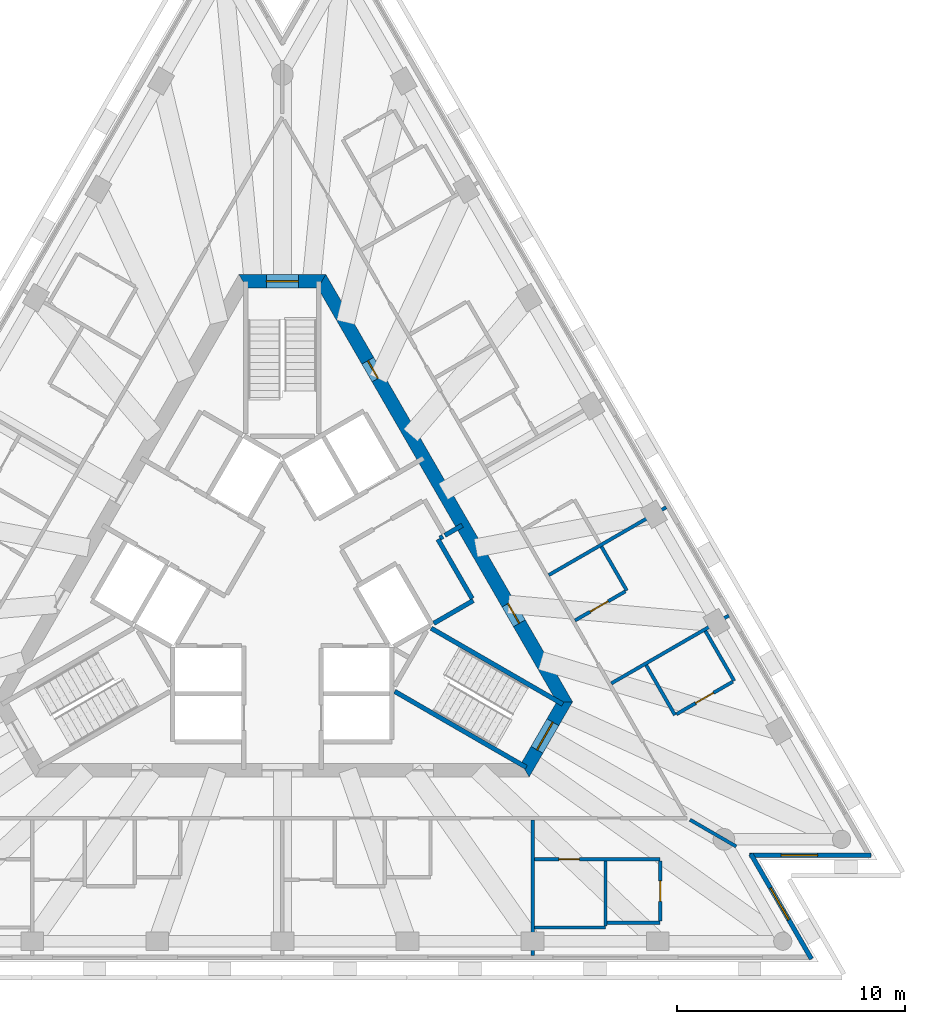
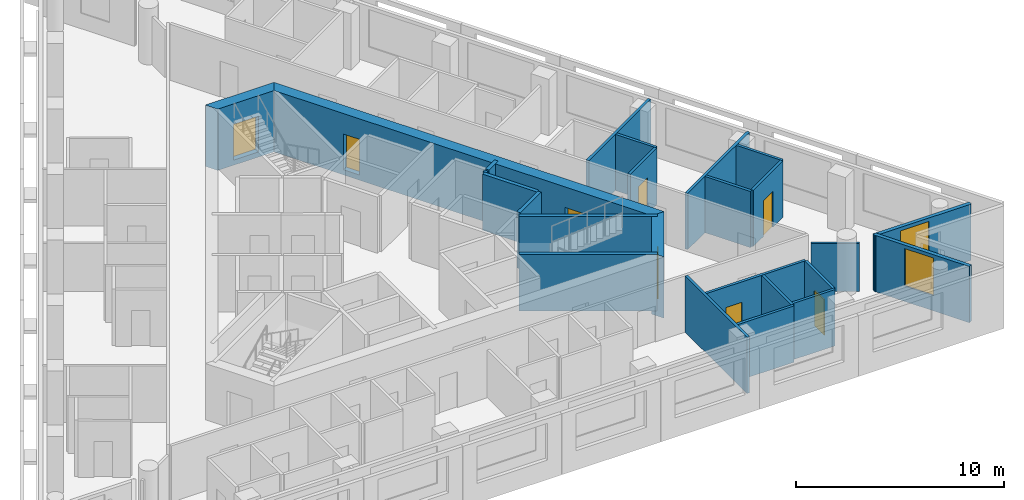
# One storey, part 6 of 9: 25 walls, 8 doors, 2 windows, 10 openings.
"""IFC4 building model written with IfcOpenShell, lengths in metres."""

from ifc_helpers import new_model, si_unit, direction, frame, frame_2d, origin, place, context, subcontext, project, spatial, polyline, rectangle, outline, extrude, material, layer, layer_set, layer_usage, type_object, element, fill, save


model = new_model("IFC4")

# Units and contexts
model_context = context("Model", 3, precision=1e-05, world=origin(), true_north=direction((0.0, 1.0)))
body_context = subcontext(model_context, "Body", "Model", "MODEL_VIEW")
ifc_project = project(units=[si_unit("LENGTHUNIT", "METRE"), si_unit("AREAUNIT", "SQUARE_METRE"), si_unit("VOLUMEUNIT", "CUBIC_METRE"), si_unit("PLANEANGLEUNIT", "RADIAN"), si_unit("MASSUNIT", "GRAM", prefix="KILO")], contexts=[model_context])

# Site, building, storey
site_placement = place(None, origin())
site = spatial("IfcSite", under=ifc_project, at=site_placement, CompositionType="ELEMENT")
building_placement = place(site_placement, origin())
building = spatial("IfcBuilding", under=site, at=building_placement, Name="Triada Interchange Tower", CompositionType="ELEMENT")
storey_placement = place(building_placement, frame((0.0, 0.0, 282.699951171875)))
storey = spatial("IfcBuildingStorey", under=building, at=storey_placement, Name="L66", CompositionType="ELEMENT", Elevation=282.699951171875)

# Walls
ifc_material_1 = material(Name="Concrete C30/37", Category="concrete")
ifc_layer_1 = layer(ifc_material_1, 0.199951171875)
ifc_layer_set_1 = layer_set([ifc_layer_1], Name="CORE WALL 200 EI 120")
wall_type_1 = type_object("IfcWallType", Name="CORE WALL 200 EI 120", PredefinedType="SOLIDWALL", material=ifc_layer_set_1)
wall_1_placement = place(storey_placement, frame((7.12890625, 2.153076171875, 0.0), z_axis=(0.0, 0.0, 1.0), x_axis=(0.866083962871, 0.499898558967, 0.0)))
element("IfcWall", 1, at=wall_1_placement, inside=storey, type_object=wall_type_1, Name="Wall L65 87", PredefinedType="SOLIDWALL", context=body_context, shape_type="SweptSolid", body=[
    extrude(rectangle(XDim=0.880126953125, YDim=0.199951171875, at=frame_2d((0.43994140625, 0.0))), origin(), (0.0, 0.0, 1.0), 3.300048828125),
])
ifc_layer_2 = layer(ifc_material_1, 0.199951171875)
ifc_layer_set_2 = layer_set([ifc_layer_2], Name="CORE WALL 200 EI 90")
wall_type_2 = type_object("IfcWallType", Name="CORE WALL 200 EI 90", PredefinedType="SOLIDWALL", material=ifc_layer_set_2)
wall_2_placement = place(storey_placement, frame((6.64208984375, -1.7080078125, 0.0), z_axis=(0.0, 0.0, 1.0), x_axis=(0.866043441391, 0.499968756647, 0.0)))
element("IfcWall", 2, at=wall_2_placement, inside=storey, type_object=wall_type_2, Name="Wall L65 112", PredefinedType="SOLIDWALL", context=body_context, shape_type="SweptSolid", body=[
    extrude(rectangle(XDim=2.002197265625, YDim=0.199951171875, at=frame_2d((1.0009765625, 0.0))), origin(), (0.0, 0.0, 1.0), 3.300048828125),
])
wall_3_placement = place(storey_placement, frame((6.825927734375, 1.97802734375, 0.0), z_axis=(0.0, 0.0, 1.0), x_axis=(0.499990139034, -0.866031096941, 0.0)))
element("IfcWall", 3, at=wall_3_placement, inside=storey, type_object=wall_type_2, Name="Wall L65 113", PredefinedType="SOLIDWALL", context=body_context, shape_type="SweptSolid", body=[
    extrude(rectangle(XDim=3.0, YDim=0.199951171875, at=frame_2d((1.5, 0.0))), origin(), (0.0, 0.0, 1.0), 3.300048828125),
])
wall_4_placement = place(storey_placement, frame((6.912109375, 2.028076171875, 0.0), z_axis=(0.0, 0.0, 1.0), x_axis=(0.866559367082, 0.499074005857, 0.0)))
element("IfcWall", 4, at=wall_4_placement, inside=storey, type_object=wall_type_2, Name="Wall L65 114", PredefinedType="SOLIDWALL", context=body_context, shape_type="SweptSolid", body=[
    extrude(rectangle(XDim=0.152099609375, YDim=0.199951171875, at=frame_2d((0.076171875, 0.0))), origin(), (0.0, 0.0, 1.0), 3.300048828125),
])
ifc_layer_3 = layer(ifc_material_1, 0.199951171875)
ifc_layer_set_3 = layer_set([ifc_layer_3], Name="CORE WALL 200 REI 240")
wall_type_3 = type_object("IfcWallType", Name="CORE WALL 200 REI 240", PredefinedType="SOLIDWALL", material=ifc_layer_set_3)
wall_5_placement = place(storey_placement, frame((6.529052734375, -1.922119140625, 0.0), z_axis=(0.0, 0.0, 1.0), x_axis=(0.866068467981, -0.499925403204, 0.0)))
element("IfcWall", 5, at=wall_5_placement, inside=storey, type_object=wall_type_3, Name="Wall L65 122", PredefinedType="SOLIDWALL", context=body_context, shape_type="SweptSolid", body=[
    extrude(rectangle(XDim=6.66455078125, YDim=0.199951171875, at=frame_2d((3.332275390625, 0.0))), origin(), (0.0, 0.0, 1.0), 3.300048828125),
])
wall_6_placement = place(storey_placement, frame((4.928955078125, -4.693115234375, 0.0), z_axis=(0.0, 0.0, 1.0), x_axis=(0.866005022404, -0.500035299925, 0.0)))
element("IfcWall", 6, at=wall_6_placement, inside=storey, type_object=wall_type_3, Name="Wall L65 123", PredefinedType="SOLIDWALL", context=body_context, shape_type="SweptSolid", body=[
    extrude(rectangle(XDim=6.6650390625, YDim=0.199951171875, at=frame_2d((3.33251953125, 0.0))), origin(), (0.0, 0.0, 1.0), 3.300048828125),
])

# Wall, opening, door
ifc_material_2 = material(Name="Concrete C40/50", Category="concrete")
ifc_layer_4 = layer(ifc_material_2, 0.60009765625)
ifc_layer_set_4 = layer_set([ifc_layer_4], Name="Core wall D 600")
wall_type_4 = type_object("IfcWallType", Name="Core wall D 600", PredefinedType="SHEAR", material=ifc_layer_set_4)
wall_7_placement = place(storey_placement, frame((1.73193359375, 13.300048828125, -0.300048828125), z_axis=(0.0, 0.0, 1.0), x_axis=(-1.0, 0.0, 0.0)))
wall_7 = element("IfcWall", 7, at=wall_7_placement, inside=storey, type_object=wall_type_4, Name="Core wall WD01 L66", PredefinedType="SHEAR", context=body_context, shape_type="SweptSolid", body=[
    extrude(outline(polyline([(-0.173095703125, -0.300048828125), (1.73193359375, -0.300048828125), (3.636962890625, -0.300048828125), (3.291015625, 0.300048828125), (1.73193359375, 0.300048828125), (0.173095703125, 0.300048828125), (-0.173095703125, -0.300048828125)])), origin(), (0.0, 0.0, 1.0), 3.60009765625),
])
opening_1_placement = place(wall_7_placement, frame((1.031982421875, 0.0, 0.300048828125)))
opening_1 = element("IfcOpeningElement", 8, at=opening_1_placement, cuts=wall_7, Name="Opening D65-49", PredefinedType="OPENING", context=body_context, shape_type="SweptSolid", body=[
    extrude(rectangle(XDim=1.39990234375, YDim=2.10009765625, at=frame_2d((0.699951171875, 1.050048828125))), frame((0.0, 0.31005859375, 0.0), z_axis=(0.0, -1.0, 0.0), x_axis=(1.0, 0.0, 0.0)), (0.0, 0.0, 1.0), 0.6201171875),
])
ifc_material_3 = material(Name="Steel S235 door leaf", Category="steel")
door_type_1 = type_object("IfcDoorType", Name="STAIR DOOR 1400 EI2 90-C5S200", OperationType="DOUBLE_DOOR_SINGLE_SWING", PredefinedType="DOOR", material=ifc_material_3)
door_1_placement = place(opening_1_placement, origin())
door_1 = element("IfcDoor", 9, at=door_1_placement, inside=storey, type_object=door_type_1, Name="Door D65-49 L66", OperationType="DOUBLE_DOOR_SINGLE_SWING", OverallHeight=2.10009765625, OverallWidth=1.39990234375, PredefinedType="DOOR", context=body_context, shape_type="SweptSolid", body=[
    extrude(rectangle(XDim=1.39990234375, YDim=2.10009765625, at=frame_2d((0.699951171875, 1.050048828125))), frame((0.0, 0.02490234375, 0.0), z_axis=(0.0, -1.0, 0.0), x_axis=(1.0, 0.0, 0.0)), (0.0, 0.0, 1.0), 0.050048828125),
])
fill(opening_1, door_1)

wall_8_placement = place(storey_placement, frame((10.652099609375, -8.14990234375, -0.300048828125), z_axis=(0.0, 0.0, 1.0), x_axis=(0.49997462182, 0.866040055388, 0.0)))
wall_8 = element("IfcWall", 10, at=wall_8_placement, inside=storey, type_object=wall_type_4, Name="Core wall WD05 L66", PredefinedType="SHEAR", context=body_context, shape_type="SweptSolid", body=[
    extrude(outline(polyline([(-0.173095703125, -0.300048828125), (1.732421875, -0.300537109375), (3.637939453125, -0.301025390625), (3.291015625, 0.300048828125), (1.73193359375, 0.300048828125), (0.173095703125, 0.300048828125), (-0.173095703125, -0.300048828125)])), origin(), (0.0, 0.0, 1.0), 3.60009765625),
])
opening_2_placement = place(wall_8_placement, frame((1.031982421875, 0.0, 0.300048828125)))
opening_2 = element("IfcOpeningElement", 11, at=opening_2_placement, cuts=wall_8, Name="Opening D65-51", PredefinedType="OPENING", context=body_context, shape_type="SweptSolid", body=[
    extrude(rectangle(XDim=1.39990234375, YDim=2.10009765625, at=frame_2d((0.699951171875, 1.050048828125))), frame((0.0, 0.31005859375, 0.0), z_axis=(0.0, -1.0, 0.0), x_axis=(1.0, 0.0, 0.0)), (0.0, 0.0, 1.0), 0.62109375),
])
door_2_placement = place(opening_2_placement, origin())
door_2 = element("IfcDoor", 12, at=door_2_placement, inside=storey, type_object=door_type_1, Name="Door D65-51 L66", OperationType="DOUBLE_DOOR_SINGLE_SWING", OverallHeight=2.10009765625, OverallWidth=1.39990234375, PredefinedType="DOOR", context=body_context, shape_type="SweptSolid", body=[
    extrude(rectangle(XDim=1.39990234375, YDim=2.10009765625, at=frame_2d((0.699951171875, 1.050048828125))), frame((0.0, 0.02490234375, 0.0), z_axis=(0.0, -1.0, 0.0), x_axis=(1.0, 0.0, 0.0)), (0.0, 0.0, 1.0), 0.050048828125),
])
fill(opening_2, door_2)

# Wall, openings, doors
wall_9_placement = place(storey_placement, frame((12.384033203125, -5.14990234375, -0.300048828125), z_axis=(0.0, 0.0, 1.0), x_axis=(-0.500000539815, 0.866025092122, 0.0)))
wall_9 = element("IfcWall", 13, at=wall_9_placement, inside=storey, type_object=wall_type_4, Name="Core wall WD06 L66", PredefinedType="SHEAR", context=body_context, shape_type="SweptSolid", body=[
    extrude(outline(polyline([(-0.173095703125, -0.301025390625), (1.795166015625, -0.301025390625), (3.76318359375, -0.30078125), (5.7314453125, -0.30078125), (7.69970703125, -0.30078125), (9.66796875, -0.300537109375), (11.635986328125, -0.300537109375), (13.604248046875, -0.30029296875), (15.572509765625, -0.30029296875), (17.540771484375, -0.30029296875), (19.5087890625, -0.300048828125), (21.47705078125, -0.300048828125), (21.131103515625, 0.300048828125), (19.225830078125, 0.300048828125), (17.320556640625, 0.300048828125), (15.415283203125, 0.300048828125), (13.510009765625, 0.300048828125), (11.604736328125, 0.300048828125), (9.699462890625, 0.300048828125), (7.794189453125, 0.300048828125), (5.888916015625, 0.300048828125), (3.983642578125, 0.300048828125), (2.078369140625, 0.300048828125), (0.173095703125, 0.300048828125), (-0.173095703125, -0.301025390625)])), origin(), (0.0, 0.0, 1.0), 3.60009765625),
])
opening_3_placement = place(wall_9_placement, frame((16.3779296875, 0.0, 0.300048828125)))
opening_3 = element("IfcOpeningElement", 14, at=opening_3_placement, cuts=wall_9, Name="Opening D65-55", PredefinedType="OPENING", context=body_context, shape_type="SweptSolid", body=[
    extrude(rectangle(XDim=0.89990234375, YDim=2.10009765625, at=frame_2d((0.449951171875, 1.050048828125))), frame((0.0, 0.31005859375, 0.0), z_axis=(0.0, -1.0, 0.0), x_axis=(1.0, 0.0, 0.0)), (0.0, 0.0, 1.0), 0.62109375),
])
opening_4_placement = place(wall_9_placement, frame((3.97607421875, 0.0, 0.300048828125)))
opening_4 = element("IfcOpeningElement", 15, at=opening_4_placement, cuts=wall_9, Name="Opening D65-57", PredefinedType="OPENING", context=body_context, shape_type="SweptSolid", body=[
    extrude(rectangle(XDim=1.0, YDim=2.10009765625, at=frame_2d((0.5, 1.050048828125))), frame((0.0, 0.31005859375, 0.0), z_axis=(0.0, -1.0, 0.0), x_axis=(1.0, 0.0, 0.0)), (0.0, 0.0, 1.0), 0.62109375),
])
door_type_2 = type_object("IfcDoorType", Name="SERVICE DOOR 1000 EI2 45-C5S200", OperationType="NOTDEFINED", PredefinedType="DOOR", material=ifc_material_3)
door_3_placement = place(opening_4_placement, origin())
door_3 = element("IfcDoor", 16, at=door_3_placement, inside=storey, type_object=door_type_2, Name="Door D65-57 L66", OperationType="SINGLE_SWING_RIGHT", OverallHeight=2.10009765625, OverallWidth=1.0, PredefinedType="DOOR", context=body_context, shape_type="SweptSolid", body=[
    extrude(rectangle(XDim=1.0, YDim=2.10009765625, at=frame_2d((0.5, 1.050048828125))), frame((0.0, 0.02490234375, 0.0), z_axis=(0.0, -1.0, 0.0), x_axis=(1.0, 0.0, 0.0)), (0.0, 0.0, 1.0), 0.050048828125),
])
fill(opening_4, door_3)
door_type_3 = type_object("IfcDoorType", Name="SERVICE DOOR 900 EI2 45-C5S200", OperationType="NOTDEFINED", PredefinedType="DOOR", material=ifc_material_3)
door_4_placement = place(opening_3_placement, origin())
door_4 = element("IfcDoor", 17, at=door_4_placement, inside=storey, type_object=door_type_3, Name="Door D65-55 L66", OperationType="SINGLE_SWING_RIGHT", OverallHeight=2.10009765625, OverallWidth=0.89990234375, PredefinedType="DOOR", context=body_context, shape_type="SweptSolid", body=[
    extrude(rectangle(XDim=0.89990234375, YDim=2.10009765625, at=frame_2d((0.449951171875, 1.050048828125))), frame((0.0, 0.02490234375, 0.0), z_axis=(0.0, -1.0, 0.0), x_axis=(1.0, 0.0, 0.0)), (0.0, 0.0, 1.0), 0.050048828125),
])
fill(opening_3, door_4)

# Wall, opening, window
ifc_material_4 = material(Name="Cement board")
ifc_layer_5 = layer(ifc_material_4, 0.02001953125, Name="Cement board cladding")
ifc_material_5 = material(Name="Sheathing board")
ifc_layer_6 = layer(ifc_material_5, 0.014892578125, Name="Sheathing board")
ifc_material_6 = material(Name="Mineral wool")
ifc_layer_7 = layer(ifc_material_6, 0.14990234375, Name="Mineral wool between steel studs")
ifc_material_7 = material(Name="Gypsum board")
ifc_layer_8 = layer(ifc_material_7, 0.014892578125, Name="Plasterboard lining")
ifc_layer_set_5 = layer_set([ifc_layer_5, ifc_layer_6, ifc_layer_7, ifc_layer_8], Name="External wall 200")
ifc_layer_usage = layer_usage(ifc_layer_set_5, "AXIS2", "POSITIVE", -0.10009765625)
wall_type_5 = type_object("IfcWallType", Name="External wall 200", PredefinedType="ELEMENTEDWALL", material=ifc_layer_set_5)
wall_10_placement = place(storey_placement, frame((23.2099609375, -16.431884765625, 0.0), z_axis=(0.0, 0.0, 1.0), x_axis=(-0.499854840714, 0.866109195318, 0.0)))
wall_10 = element("IfcWall", 18, at=wall_10_placement, inside=storey, type_object=wall_type_5, material=ifc_layer_usage, Name="External wall L66 SE-1", PredefinedType="ELEMENTEDWALL", context=body_context, shape_type="SweptSolid", body=[
    extrude(rectangle(XDim=5.3212890625, YDim=0.199951171875, at=frame_2d((2.66064453125, 0.0))), origin(), (0.0, 0.0, 1.0), 3.300048828125),
])
opening_5_placement = place(wall_10_placement, frame((1.989990234375, 0.0, 0.89990234375)))
opening_5 = element("IfcOpeningElement", 19, at=opening_5_placement, cuts=wall_10, Name="Opening WD19", PredefinedType="OPENING", context=body_context, shape_type="SweptSolid", body=[
    extrude(rectangle(XDim=1.60009765625, YDim=2.199951171875, at=frame_2d((0.800048828125, 1.10009765625))), frame((0.0, 0.10986328125, 0.0), z_axis=(0.0, -1.0, 0.0), x_axis=(1.0, 0.0, 0.0)), (0.0, 0.0, 1.0), 0.219970703125),
])
ifc_material_8 = material(Name="Double glazed aluminium window", Category="aluminium")
window_type = type_object("IfcWindowType", Name="Ribbon window D pocket", PartitioningType="SINGLE_PANEL", PredefinedType="WINDOW", material=ifc_material_8)
window_1_placement = place(opening_5_placement, origin())
window_1 = element("IfcWindow", 20, at=window_1_placement, inside=storey, type_object=window_type, Name="Window L66 SE-1 1", OverallHeight=2.199951171875, OverallWidth=1.60009765625, PartitioningType="SINGLE_PANEL", PredefinedType="WINDOW", context=body_context, shape_type="SweptSolid", body=[
    extrude(rectangle(XDim=1.60009765625, YDim=2.199951171875, at=frame_2d((0.800048828125, 1.10009765625))), frame((0.0, 0.030029296875, 0.0), z_axis=(0.0, -1.0, 0.0), x_axis=(1.0, 0.0, 0.0)), (0.0, 0.0, 1.0), 0.06005859375),
])
fill(opening_5, window_1)

wall_11_placement = place(storey_placement, frame((20.4951171875, -11.884033203125, 0.0), z_axis=(0.0, 0.0, 1.0), x_axis=(1.0, 0.0, 0.0)))
wall_11 = element("IfcWall", 21, at=wall_11_placement, inside=storey, type_object=wall_type_5, material=ifc_layer_usage, Name="External wall L66 SE-2", PredefinedType="ELEMENTEDWALL", context=body_context, shape_type="SweptSolid", body=[
    extrude(rectangle(XDim=5.32080078125, YDim=0.199951171875, at=frame_2d((2.660400390625, 0.0))), origin(), (0.0, 0.0, 1.0), 3.300048828125),
])
opening_6_placement = place(wall_11_placement, frame((1.389892578125, 0.0, 0.89990234375)))
opening_6 = element("IfcOpeningElement", 22, at=opening_6_placement, cuts=wall_11, Name="Opening WD20", PredefinedType="OPENING", context=body_context, shape_type="SweptSolid", body=[
    extrude(rectangle(XDim=1.60009765625, YDim=2.199951171875, at=frame_2d((0.800048828125, 1.10009765625))), frame((0.0, 0.10986328125, 0.0), z_axis=(0.0, -1.0, 0.0), x_axis=(1.0, 0.0, 0.0)), (0.0, 0.0, 1.0), 0.219970703125),
])
window_2_placement = place(opening_6_placement, origin())
window_2 = element("IfcWindow", 23, at=window_2_placement, inside=storey, type_object=window_type, Name="Window L66 SE-2 1", OverallHeight=2.199951171875, OverallWidth=1.60009765625, PartitioningType="SINGLE_PANEL", PredefinedType="WINDOW", context=body_context, shape_type="SweptSolid", body=[
    extrude(rectangle(XDim=1.60009765625, YDim=2.199951171875, at=frame_2d((0.800048828125, 1.10009765625))), frame((0.0, 0.030029296875, 0.0), z_axis=(0.0, -1.0, 0.0), x_axis=(1.0, 0.0, 0.0)), (0.0, 0.0, 1.0), 0.06005859375),
])
fill(opening_6, window_2)

# Walls
ifc_material_9 = material(Name="Gypsum board partition")
ifc_layer_9 = layer(ifc_material_9, 0.14990234375)
ifc_layer_set_6 = layer_set([ifc_layer_9], Name="PARTITION 150 EI 180")
wall_type_6 = type_object("IfcWallType", Name="PARTITION 150 EI 180", PredefinedType="PARTITIONING", material=ifc_layer_set_6)
wall_12_placement = place(storey_placement, frame((17.883056640625, -10.324951171875, 0.0), z_axis=(0.0, 0.0, 1.0), x_axis=(0.865928350888, -0.500168062883, 0.0)))
element("IfcWall", 24, at=wall_12_placement, inside=storey, type_object=wall_type_6, Name="Wall L65 7", PredefinedType="PARTITIONING", context=body_context, shape_type="SweptSolid", body=[
    extrude(rectangle(XDim=2.339599609375, YDim=0.14990234375, at=frame_2d((1.169921875, 0.0))), origin(), (0.0, 0.0, 1.0), 2.800048828125),
])
wall_13_placement = place(storey_placement, frame((10.97607421875, -16.27392578125, 0.0), z_axis=(0.0, 0.0, 1.0), x_axis=(0.0, 1.0, 0.0)))
element("IfcWall", 25, at=wall_13_placement, inside=storey, type_object=wall_type_6, Name="Wall L65 28", PredefinedType="PARTITIONING", context=body_context, shape_type="SweptSolid", body=[
    extrude(rectangle(XDim=5.948974609375, YDim=0.14990234375, at=frame_2d((2.974609375, 0.0))), origin(), (0.0, 0.0, 1.0), 3.300048828125),
])
wall_14_placement = place(storey_placement, frame((11.68603515625, 0.408935546875, 0.0), z_axis=(0.0, 0.0, 1.0), x_axis=(0.865976450533, 0.500084779935, 0.0)))
element("IfcWall", 26, at=wall_14_placement, inside=storey, type_object=wall_type_6, Name="Wall L65 29", PredefinedType="PARTITIONING", context=body_context, shape_type="SweptSolid", body=[
    extrude(rectangle(XDim=5.94921875, YDim=0.14990234375, at=frame_2d((2.974609375, 0.0))), origin(), (0.0, 0.0, 1.0), 3.300048828125),
])
wall_15_placement = place(storey_placement, frame((14.429931640625, -4.343017578125, 0.0), z_axis=(0.0, 0.0, 1.0), x_axis=(0.865986712877, 0.50006700863, 0.0)))
element("IfcWall", 27, at=wall_15_placement, inside=storey, type_object=wall_type_6, Name="Wall L65 30", PredefinedType="PARTITIONING", context=body_context, shape_type="SweptSolid", body=[
    extrude(rectangle(XDim=5.949462890625, YDim=0.14990234375, at=frame_2d((2.974609375, 0.0))), origin(), (0.0, 0.0, 1.0), 3.300048828125),
])

# Wall, opening, door
ifc_layer_10 = layer(ifc_material_9, 0.14990234375)
ifc_layer_set_7 = layer_set([ifc_layer_10], Name="PARTITION 150 EI 90")
wall_type_7 = type_object("IfcWallType", Name="PARTITION 150 EI 90", PredefinedType="PARTITIONING", material=ifc_layer_set_7)
wall_16_placement = place(storey_placement, frame((11.051025390625, -12.050048828125, 0.0), z_axis=(0.0, 0.0, 1.0), x_axis=(1.0, 0.0, 0.0)))
wall_16 = element("IfcWall", 28, at=wall_16_placement, inside=storey, type_object=wall_type_7, Name="Wall L65 40", PredefinedType="PARTITIONING", context=body_context, shape_type="SweptSolid", body=[
    extrude(rectangle(XDim=5.52490234375, YDim=0.14990234375, at=frame_2d((2.762451171875, 0.0))), origin(), (0.0, 0.0, 1.0), 3.300048828125),
])
opening_7_placement = place(wall_16_placement, frame((1.074951171875, 0.0, 0.0)))
opening_7 = element("IfcOpeningElement", 29, at=opening_7_placement, cuts=wall_16, Name="Opening D65-23", PredefinedType="OPENING", context=body_context, shape_type="SweptSolid", body=[
    extrude(rectangle(XDim=0.89990234375, YDim=2.10009765625, at=frame_2d((0.449951171875, 1.050048828125))), frame((0.0, 0.0849609375, 0.0), z_axis=(0.0, -1.0, 0.0), x_axis=(1.0, 0.0, 0.0)), (0.0, 0.0, 1.0), 0.169921875),
])
door_type_4 = type_object("IfcDoorType", Name="ROOM DOOR 900 EI2 45-C5S200", OperationType="NOTDEFINED", PredefinedType="DOOR", material=ifc_material_3)
door_5_placement = place(opening_7_placement, origin())
door_5 = element("IfcDoor", 30, at=door_5_placement, inside=storey, type_object=door_type_4, Name="Door D65-23 L66", OperationType="SINGLE_SWING_RIGHT", OverallHeight=2.10009765625, OverallWidth=0.89990234375, PredefinedType="DOOR", context=body_context, shape_type="SweptSolid", body=[
    extrude(rectangle(XDim=0.89990234375, YDim=2.10009765625, at=frame_2d((0.449951171875, 1.050048828125))), frame((0.0, 0.02490234375, 0.0), z_axis=(0.0, -1.0, 0.0), x_axis=(1.0, 0.0, 0.0)), (0.0, 0.0, 1.0), 0.050048828125),
])
fill(opening_7, door_5)

# Walls
wall_17_placement = place(storey_placement, frame((14.2509765625, -14.85009765625, 0.0), z_axis=(0.0, 0.0, 1.0), x_axis=(1.0, 0.0, 0.0)))
element("IfcWall", 31, at=wall_17_placement, inside=storey, type_object=wall_type_7, Name="Wall L65 43", PredefinedType="PARTITIONING", context=body_context, shape_type="SweptSolid", body=[
    extrude(rectangle(XDim=2.324951171875, YDim=0.14990234375, at=frame_2d((1.16259765625, 0.0))), origin(), (0.0, 0.0, 1.0), 3.300048828125),
])
wall_18_placement = place(storey_placement, frame((11.051025390625, -15.050048828125, 0.0), z_axis=(0.0, 0.0, 1.0), x_axis=(1.0, 0.0, 0.0)))
element("IfcWall", 32, at=wall_18_placement, inside=storey, type_object=wall_type_7, Name="Wall L65 45", PredefinedType="PARTITIONING", context=body_context, shape_type="SweptSolid", body=[
    extrude(rectangle(XDim=3.125, YDim=0.14990234375, at=frame_2d((1.5625, 0.0))), origin(), (0.0, 0.0, 1.0), 3.300048828125),
])
wall_19_placement = place(storey_placement, frame((15.9609375, -3.544921875, 0.0), z_axis=(0.0, 0.0, 1.0), x_axis=(0.499789415832, -0.866146950478, 0.0)))
element("IfcWall", 33, at=wall_19_placement, inside=storey, type_object=wall_type_7, Name="Wall L65 55", PredefinedType="PARTITIONING", context=body_context, shape_type="SweptSolid", body=[
    extrude(rectangle(XDim=2.52490234375, YDim=0.14990234375, at=frame_2d((1.262451171875, 0.0))), origin(), (0.0, 0.0, 1.0), 3.300048828125),
])
wall_20_placement = place(storey_placement, frame((18.55908203125, -2.044921875, 0.0), z_axis=(0.0, 0.0, 1.0), x_axis=(0.500079482444, -0.865979509711, 0.0)))
element("IfcWall", 34, at=wall_20_placement, inside=storey, type_object=wall_type_7, Name="Wall L65 57", PredefinedType="PARTITIONING", context=body_context, shape_type="SweptSolid", body=[
    extrude(rectangle(XDim=2.525390625, YDim=0.14990234375, at=frame_2d((1.2626953125, 0.0))), origin(), (0.0, 0.0, 1.0), 3.300048828125),
])
wall_21_placement = place(storey_placement, frame((13.9970703125, 1.656982421875, 0.0), z_axis=(0.0, 0.0, 1.0), x_axis=(0.499750953666, -0.866169143014, 0.0)))
element("IfcWall", 35, at=wall_21_placement, inside=storey, type_object=wall_type_7, Name="Wall L65 63", PredefinedType="PARTITIONING", context=body_context, shape_type="SweptSolid", body=[
    extrude(rectangle(XDim=2.224853515625, YDim=0.14990234375, at=frame_2d((1.1123046875, 0.0))), origin(), (0.0, 0.0, 1.0), 3.300048828125),
])
wall_22_placement = place(storey_placement, frame((14.176025390625, -14.97509765625, 0.0), z_axis=(0.0, 0.0, 1.0), x_axis=(0.0, 1.0, 0.0)))
element("IfcWall", 36, at=wall_22_placement, inside=storey, type_object=wall_type_7, Name="Wall L65 64", PredefinedType="PARTITIONING", context=body_context, shape_type="SweptSolid", body=[
    extrude(rectangle(XDim=2.85009765625, YDim=0.14990234375, at=frame_2d((1.425048828125, 0.0))), origin(), (0.0, 0.0, 1.0), 3.300048828125),
])

# Wall, opening, door
wall_23_placement = place(storey_placement, frame((12.8359375, -1.58203125, 0.0), z_axis=(0.0, 0.0, 1.0), x_axis=(0.865965520905, 0.500103705848, 0.0)))
wall_23 = element("IfcWall", 37, at=wall_23_placement, inside=storey, type_object=wall_type_7, Name="Wall L65 65", PredefinedType="PARTITIONING", context=body_context, shape_type="SweptSolid", body=[
    extrude(rectangle(XDim=2.5498046875, YDim=0.14990234375, at=frame_2d((1.27490234375, 0.0))), origin(), (0.0, 0.0, 1.0), 3.300048828125),
])
opening_8_placement = place(wall_23_placement, frame((0.77490234375, 0.0, 0.0)))
opening_8 = element("IfcOpeningElement", 38, at=opening_8_placement, cuts=wall_23, Name="Opening D65-28", PredefinedType="OPENING", context=body_context, shape_type="SweptSolid", body=[
    extrude(rectangle(XDim=0.89990234375, YDim=2.10009765625, at=frame_2d((0.449951171875, 1.050048828125))), frame((0.0, 0.0849609375, 0.0), z_axis=(0.0, -1.0, 0.0), x_axis=(1.0, 0.0, 0.0)), (0.0, 0.0, 1.0), 0.169921875),
])
door_6_placement = place(opening_8_placement, origin())
door_6 = element("IfcDoor", 39, at=door_6_placement, inside=storey, type_object=door_type_4, Name="Door D65-28 L66", OperationType="SINGLE_SWING_LEFT", OverallHeight=2.10009765625, OverallWidth=0.89990234375, PredefinedType="DOOR", context=body_context, shape_type="SweptSolid", body=[
    extrude(rectangle(XDim=0.89990234375, YDim=2.10009765625, at=frame_2d((0.449951171875, 1.050048828125))), frame((0.0, 0.02490234375, 0.0), z_axis=(0.0, -1.0, 0.0), x_axis=(1.0, 0.0, 0.0)), (0.0, 0.0, 1.0), 0.050048828125),
])
fill(opening_8, door_6)

wall_24_placement = place(storey_placement, frame((16.575927734375, -14.77490234375, 0.0), z_axis=(0.0, 0.0, 1.0), x_axis=(0.0, 1.0, 0.0)))
wall_24 = element("IfcWall", 40, at=wall_24_placement, inside=storey, type_object=wall_type_7, Name="Wall L65 67", PredefinedType="PARTITIONING", context=body_context, shape_type="SweptSolid", body=[
    extrude(rectangle(XDim=2.64990234375, YDim=0.14990234375, at=frame_2d((1.324951171875, 0.0))), origin(), (0.0, 0.0, 1.0), 3.300048828125),
])
opening_9_placement = place(wall_24_placement, frame((0.875, 0.0, 0.0)))
opening_9 = element("IfcOpeningElement", 41, at=opening_9_placement, cuts=wall_24, Name="Opening D65-24", PredefinedType="OPENING", context=body_context, shape_type="SweptSolid", body=[
    extrude(rectangle(XDim=0.89990234375, YDim=2.10009765625, at=frame_2d((0.449951171875, 1.050048828125))), frame((0.0, 0.0849609375, 0.0), z_axis=(0.0, -1.0, 0.0), x_axis=(1.0, 0.0, 0.0)), (0.0, 0.0, 1.0), 0.169921875),
])
door_7_placement = place(opening_9_placement, origin())
door_7 = element("IfcDoor", 42, at=door_7_placement, inside=storey, type_object=door_type_3, Name="Door D65-24 L66", OperationType="SINGLE_SWING_LEFT", OverallHeight=2.10009765625, OverallWidth=0.89990234375, PredefinedType="DOOR", context=body_context, shape_type="SweptSolid", body=[
    extrude(rectangle(XDim=0.89990234375, YDim=2.10009765625, at=frame_2d((0.449951171875, 1.050048828125))), frame((0.0, 0.02490234375, 0.0), z_axis=(0.0, -1.0, 0.0), x_axis=(1.0, 0.0, 0.0)), (0.0, 0.0, 1.0), 0.050048828125),
])
fill(opening_9, door_7)

wall_25_placement = place(storey_placement, frame((17.2880859375, -5.694091796875, 0.0), z_axis=(0.0, 0.0, 1.0), x_axis=(0.866090043625, 0.499888023795, 0.0)))
wall_25 = element("IfcWall", 43, at=wall_25_placement, inside=storey, type_object=wall_type_7, Name="Wall L65 68", PredefinedType="PARTITIONING", context=body_context, shape_type="SweptSolid", body=[
    extrude(rectangle(XDim=2.850830078125, YDim=0.14990234375, at=frame_2d((1.42529296875, 0.0))), origin(), (0.0, 0.0, 1.0), 3.300048828125),
])
opening_10_placement = place(wall_25_placement, frame((0.97509765625, 0.0, 0.0)))
opening_10 = element("IfcOpeningElement", 44, at=opening_10_placement, cuts=wall_25, Name="Opening D65-26", PredefinedType="OPENING", context=body_context, shape_type="SweptSolid", body=[
    extrude(rectangle(XDim=0.89990234375, YDim=2.10009765625, at=frame_2d((0.449951171875, 1.050048828125))), frame((0.0, 0.0849609375, 0.0), z_axis=(0.0, -1.0, 0.0), x_axis=(1.0, 0.0, 0.0)), (0.0, 0.0, 1.0), 0.169921875),
])
door_8_placement = place(opening_10_placement, origin())
door_8 = element("IfcDoor", 45, at=door_8_placement, inside=storey, type_object=door_type_4, Name="Door D65-26 L66", OperationType="SINGLE_SWING_RIGHT", OverallHeight=2.10009765625, OverallWidth=0.89990234375, PredefinedType="DOOR", context=body_context, shape_type="SweptSolid", body=[
    extrude(rectangle(XDim=0.89990234375, YDim=2.10009765625, at=frame_2d((0.449951171875, 1.050048828125))), frame((0.0, 0.02490234375, 0.0), z_axis=(0.0, -1.0, 0.0), x_axis=(1.0, 0.0, 0.0)), (0.0, 0.0, 1.0), 0.050048828125),
])
fill(opening_10, door_8)

save(model, "model.ifc")
